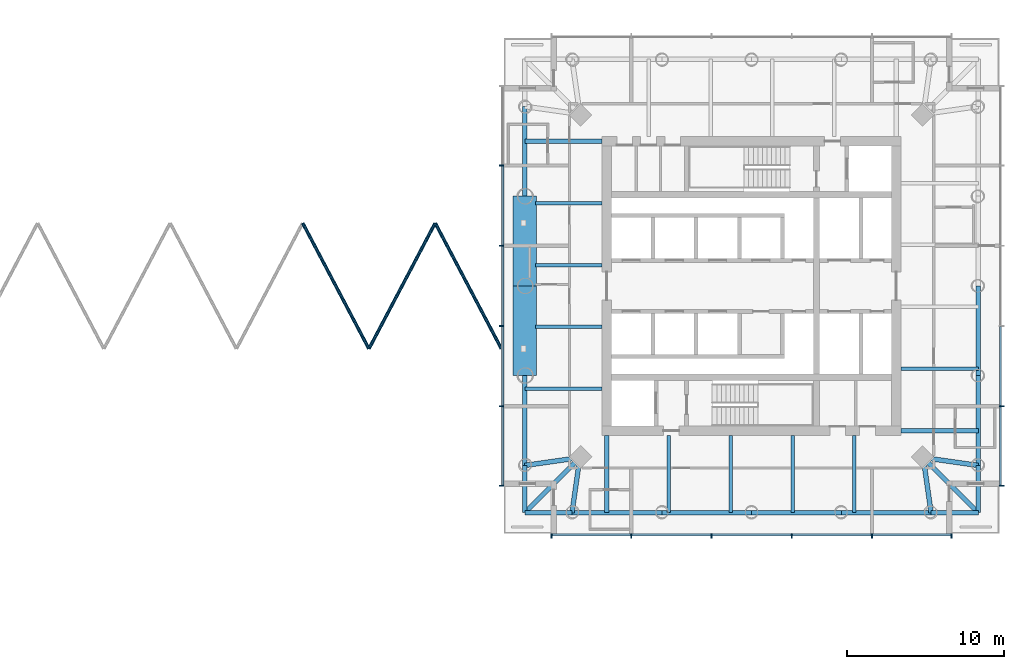
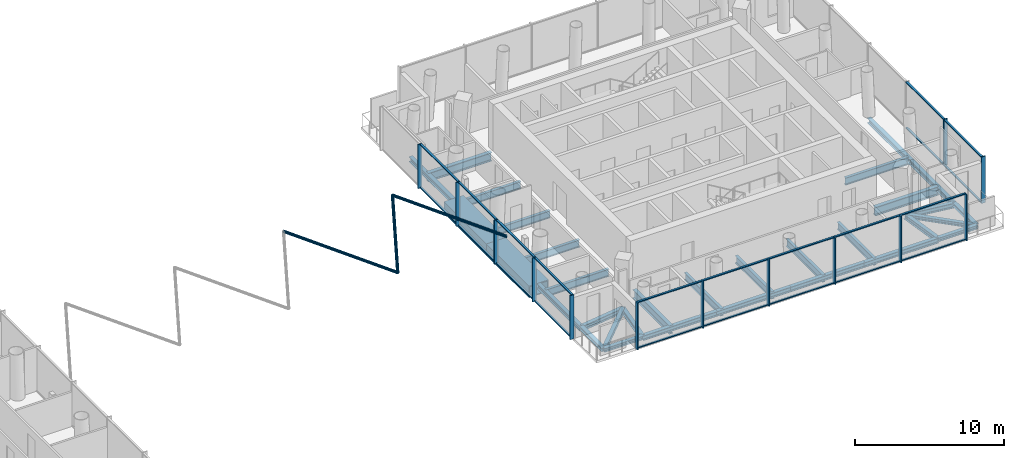
# One storey, part 5 of 19: 38 members, 32 beams, 3 elements without a shape of their own.
"""IFC4 building model written with IfcOpenShell, lengths in metres."""

from ifc_helpers import new_model, si_unit, direction, frame, origin, origin_2d, place, context, subcontext, project, spatial, rectangle, hollow_rectangle, hollow_circle, i_section, extrude, material, material_profile, profile_set, type_object, element, aggregate, save


model = new_model("IFC4")

# Units and contexts
model_context = context("Model", 3, precision=1e-05, world=origin(), true_north=direction((0.0, 1.0)))
body_context = subcontext(model_context, "Body", "Model", "MODEL_VIEW")
ifc_project = project(units=[si_unit("LENGTHUNIT", "METRE"), si_unit("AREAUNIT", "SQUARE_METRE"), si_unit("VOLUMEUNIT", "CUBIC_METRE"), si_unit("PLANEANGLEUNIT", "RADIAN"), si_unit("MASSUNIT", "GRAM", prefix="KILO")], contexts=[model_context])

# Site, building, storey
site_placement = place(None, origin())
site = spatial("IfcSite", under=ifc_project, at=site_placement, CompositionType="ELEMENT")
building_placement = place(site_placement, origin())
building = spatial("IfcBuilding", under=site, at=building_placement, Name="Ostroluk Exchange", CompositionType="ELEMENT")
storey_placement = place(building_placement, frame((0.0, 0.0, 127.39990234375)))
storey = spatial("IfcBuildingStorey", under=building, at=storey_placement, Name="L32", CompositionType="ELEMENT", Elevation=127.39990234375)

# Beams
ifc_material_1 = material(Name="Steel S355", Category="steel")
ifc_material_profile_1 = material_profile(ifc_material_1, i_section(OverallWidth=0.300048828125, OverallDepth=0.300048828125, WebThickness=0.010986328125, FlangeThickness=0.01904296875, FilletRadius=0.027099609375, at=origin_2d()), Name="HEB 300")
ifc_profile_set_1 = profile_set([ifc_material_profile_1], Name="Steel S355")
beam_type_1 = type_object("IfcBeamType", Name="Balcony beam HEB 300", PredefinedType="BEAM", material=ifc_profile_set_1)
for number, where, z_axis, x_axis, name in (
    (1, (102.586181640625, 34.586181640625, -0.349853515625), (0.0, -1.0, 0.0), (1.0, 0.0, 0.0), "T2 west balcony beam a"),
    (2, (105.586181640625, 31.586181640625, -0.349853515625), (-1.0, 0.0, 0.0), (0.0, -1.0, 0.0), "T2 west balcony beam b"),
):
    element("IfcBeam", number, at=place(storey_placement, frame(where, z_axis=z_axis, x_axis=x_axis)), inside=storey, type_object=beam_type_1, Name=name, PredefinedType="BEAM", context=body_context, shape_type="SweptSolid", body=[
        extrude(i_section(OverallWidth=0.300048828125, OverallDepth=0.300048828125, WebThickness=0.010986328125, FlangeThickness=0.01904296875, FilletRadius=0.027099609375, at=origin_2d()), origin(), (0.0, 0.0, 1.0), 3.0),
    ])
beam_1_placement = place(storey_placement, frame((106.086181640625, 35.086181640625, -0.349853515625), z_axis=(-0.707106781187, -0.707106781187, 0.0), x_axis=(0.707106781187, -0.707106781187, 0.0)))
element("IfcBeam", 3, at=beam_1_placement, inside=storey, type_object=beam_type_1, Name="T2 west balcony beam c", PredefinedType="BEAM", context=body_context, shape_type="SweptSolid", body=[
    extrude(i_section(OverallWidth=0.300048828125, OverallDepth=0.300048828125, WebThickness=0.010986328125, FlangeThickness=0.01904296875, FilletRadius=0.027099609375, at=origin_2d()), origin(), (0.0, 0.0, 1.0), 4.94970703125),
])
for number, where, z_axis, x_axis, name in (
    (4, (128.413818359375, 31.586181640625, -0.349853515625), (1.0, 0.0, 0.0), (0.0, 1.0, 0.0), "T2 south balcony beam a"),
    (5, (131.413818359375, 34.586181640625, -0.349853515625), (0.0, -1.0, 0.0), (1.0, 0.0, 0.0), "T2 south balcony beam b"),
):
    element("IfcBeam", number, at=place(storey_placement, frame(where, z_axis=z_axis, x_axis=x_axis)), inside=storey, type_object=beam_type_1, Name=name, PredefinedType="BEAM", context=body_context, shape_type="SweptSolid", body=[
        extrude(i_section(OverallWidth=0.300048828125, OverallDepth=0.300048828125, WebThickness=0.010986328125, FlangeThickness=0.01904296875, FilletRadius=0.027099609375, at=origin_2d()), origin(), (0.0, 0.0, 1.0), 3.0),
    ])
beam_2_placement = place(storey_placement, frame((127.913818359375, 35.086181640625, -0.349853515625), z_axis=(0.707106781187, -0.707106781187, 0.0), x_axis=(0.707106781187, 0.707106781187, 0.0)))
element("IfcBeam", 6, at=beam_2_placement, inside=storey, type_object=beam_type_1, Name="T2 south balcony beam c", PredefinedType="BEAM", context=body_context, shape_type="SweptSolid", body=[
    extrude(i_section(OverallWidth=0.300048828125, OverallDepth=0.300048828125, WebThickness=0.010986328125, FlangeThickness=0.01904296875, FilletRadius=0.027099609375, at=origin_2d()), origin(), (0.0, 0.0, 1.0), 4.94970703125),
])
ifc_material_2 = material(Name="Steel S355", Category="steel")
ifc_material_profile_2 = material_profile(ifc_material_2, hollow_rectangle(XDim=1.5, YDim=0.949951171875, WallThickness=0.080078125, at=origin_2d()), Name="BOX 1500x950x80")
ifc_profile_set_2 = profile_set([ifc_material_profile_2], Name="Steel S355")
beam_type_2 = type_object("IfcBeamType", Name="Bridge landing beam BOX 1500x950x80", PredefinedType="BEAM", material=ifc_profile_set_2)
for number, where, z_axis, x_axis, name in (
    (7, (102.586181640625, 40.293212890625, -0.6748046875), (0.0, 1.0, 0.0), (-1.0, 0.0, 0.0), "BR2 landing beam east 1"),
    (8, (102.586181640625, 46.0, -0.6748046875), (0.0, 1.0, 0.0), (-1.0, 0.0, 0.0), "BR2 landing beam east 2"),
):
    element("IfcBeam", number, at=place(storey_placement, frame(where, z_axis=z_axis, x_axis=x_axis)), inside=storey, type_object=beam_type_2, Name=name, PredefinedType="BEAM", context=body_context, shape_type="SweptSolid", body=[
        extrude(hollow_rectangle(XDim=1.5, YDim=0.949951171875, WallThickness=0.080078125, at=origin_2d()), origin(), (0.0, 0.0, 1.0), 5.706787109375),
    ])

# Members
ifc_material_3 = material(Name="Steel S460", Category="steel")
ifc_material_profile_3 = material_profile(ifc_material_3, hollow_circle(Radius=0.109619140625, WallThickness=0.010009765625, at=origin_2d()), Name="CHS 219.1x10")
ifc_profile_set_3 = profile_set([ifc_material_profile_3], Name="Steel S460")
member_type_1 = type_object("IfcMemberType", Name="Bridge plan bracing CHS 219.1x10", PredefinedType="BRACE", material=ifc_profile_set_3)
for number, where, z_axis, x_axis, name in (
    (9, (88.46240234375, 50.0, 3.093994140625), (0.465930052274, -0.88482155624, 0.0), (0.88482155624, 0.465930052274, 0.0), "BR2 deck plan brace 6"),
    (10, (92.675048828125, 42.0, 3.093994140625), (0.465908911283, 0.884832688358, 0.0), (-0.884832688358, 0.465908911283, 0.0), "BR2 deck plan brace 7"),
    (11, (96.887451171875, 50.0, 3.093994140625), (0.465930052274, -0.88482155624, 0.0), (0.88482155624, 0.465930052274, 0.0), "BR2 deck plan brace 8"),
):
    element("IfcMember", number, at=place(storey_placement, frame(where, z_axis=z_axis, x_axis=x_axis)), inside=storey, type_object=member_type_1, Name=name, PredefinedType="BRACE", context=body_context, shape_type="SweptSolid", body=[
        extrude(hollow_circle(Radius=0.109619140625, WallThickness=0.010009765625, at=origin_2d()), origin(), (0.0, 0.0, 1.0), 9.041259765625),
    ])

# Beams
ifc_material_4 = material(Name="Steel S355", Category="steel")
ifc_material_profile_4 = material_profile(ifc_material_4, i_section(OverallWidth=0.300048828125, OverallDepth=0.39990234375, WebThickness=0.013427734375, FlangeThickness=0.02392578125, FilletRadius=0.027099609375, at=origin_2d()), Name="HEB 400")
ifc_profile_set_4 = profile_set([ifc_material_profile_4], Name="Steel S355")
beam_type_3 = type_object("IfcBeamType", Name="Corner edge beam HEB 400", PredefinedType="SPANDREL", material=ifc_profile_set_4)
for number, where, z_axis, x_axis, name in (
    (12, (106.086181640625, 35.086181640625, -0.39990234375), (-0.989949493661, -0.141421356237, 0.0), (0.141421356237, -0.989949493661, 0.0), "T2 west corner edge beam a"),
    (13, (106.086181640625, 35.086181640625, -0.39990234375), (-0.141421356237, -0.989949493661, 0.0), (0.989949493661, -0.141421356237, 0.0), "T2 west corner edge beam b"),
    (14, (127.913818359375, 35.086181640625, -0.39990234375), (0.141421356237, -0.989949493661, 0.0), (0.989949493661, 0.141421356237, 0.0), "T2 south corner edge beam a"),
    (15, (127.913818359375, 35.086181640625, -0.39990234375), (0.989949493661, -0.141421356237, 0.0), (0.141421356237, 0.989949493661, 0.0), "T2 south corner edge beam b"),
):
    element("IfcBeam", number, at=place(storey_placement, frame(where, z_axis=z_axis, x_axis=x_axis)), inside=storey, type_object=beam_type_3, Name=name, PredefinedType="SPANDREL", context=body_context, shape_type="SweptSolid", body=[
        extrude(i_section(OverallWidth=0.300048828125, OverallDepth=0.39990234375, WebThickness=0.013427734375, FlangeThickness=0.02392578125, FilletRadius=0.027099609375, at=origin_2d()), origin(), (0.0, 0.0, 1.0), 3.53564453125),
    ])
ifc_material_5 = material(Name="Steel S355", Category="steel")
ifc_material_profile_5 = material_profile(ifc_material_5, i_section(OverallWidth=0.219970703125, OverallDepth=0.60009765625, WebThickness=0.011962890625, FlangeThickness=0.01904296875, FilletRadius=0.02392578125, at=origin_2d()), Name="IPE 600")
ifc_profile_set_5 = profile_set([ifc_material_profile_5], Name="Steel S355")
beam_type_4 = type_object("IfcBeamType", Name="Floor beam IPE 600", PredefinedType="BEAM", material=ifc_profile_set_5)
beam_3_placement = place(storey_placement, frame((126.5, 40.735595703125, -0.5), z_axis=(1.0, 0.0, 0.0), x_axis=(0.0, 1.0, 0.0)))
element("IfcBeam", 16, at=beam_3_placement, inside=storey, type_object=beam_type_4, Name="T2 east floor beam 1", PredefinedType="BEAM", context=body_context, shape_type="SweptSolid", body=[
    extrude(i_section(OverallWidth=0.219970703125, OverallDepth=0.60009765625, WebThickness=0.011962890625, FlangeThickness=0.01904296875, FilletRadius=0.02392578125, at=origin_2d()), origin(), (0.0, 0.0, 1.0), 4.913818359375),
])
for number, where, z_axis, x_axis, name in (
    (17, (107.5, 51.264404296875, -0.5), (-1.0, 0.0, 0.0), (0.0, -1.0, 0.0), "T2 west floor beam 1"),
    (18, (107.5, 47.328857421875, -0.5), (-1.0, 0.0, 0.0), (0.0, -1.0, 0.0), "T2 west floor beam 2"),
    (19, (107.5, 43.39306640625, -0.5), (-1.0, 0.0, 0.0), (0.0, -1.0, 0.0), "T2 west floor beam 3"),
):
    element("IfcBeam", number, at=place(storey_placement, frame(where, z_axis=z_axis, x_axis=x_axis)), inside=storey, type_object=beam_type_4, Name=name, PredefinedType="BEAM", context=body_context, shape_type="SweptSolid", body=[
        extrude(i_section(OverallWidth=0.219970703125, OverallDepth=0.60009765625, WebThickness=0.011962890625, FlangeThickness=0.01904296875, FilletRadius=0.02392578125, at=origin_2d()), origin(), (0.0, 0.0, 1.0), 4.243896484375),
    ])
for number, where, z_axis, x_axis, name in (
    (20, (107.5, 39.45751953125, -0.5), (-1.0, 0.0, 0.0), (0.0, -1.0, 0.0), "T2 west floor beam 4"),
    (21, (111.735595703125, 36.5, -0.5), (0.0, -1.0, 0.0), (1.0, 0.0, 0.0), "T2 south floor beam 1"),
    (22, (115.671142578125, 36.5, -0.5), (0.0, -1.0, 0.0), (1.0, 0.0, 0.0), "T2 south floor beam 2"),
    (23, (119.60693359375, 36.5, -0.5), (0.0, -1.0, 0.0), (1.0, 0.0, 0.0), "T2 south floor beam 3"),
    (24, (123.54248046875, 36.5, -0.5), (0.0, -1.0, 0.0), (1.0, 0.0, 0.0), "T2 south floor beam 4"),
):
    element("IfcBeam", number, at=place(storey_placement, frame(where, z_axis=z_axis, x_axis=x_axis)), inside=storey, type_object=beam_type_4, Name=name, PredefinedType="BEAM", context=body_context, shape_type="SweptSolid", body=[
        extrude(i_section(OverallWidth=0.219970703125, OverallDepth=0.60009765625, WebThickness=0.011962890625, FlangeThickness=0.01904296875, FilletRadius=0.02392578125, at=origin_2d()), origin(), (0.0, 0.0, 1.0), 4.913818359375),
    ])
ifc_material_6 = material(Name="Steel S355", Category="steel")
ifc_material_profile_6 = material_profile(ifc_material_6, i_section(OverallWidth=0.300048828125, OverallDepth=0.699951171875, WebThickness=0.01708984375, FlangeThickness=0.031982421875, FilletRadius=0.027099609375, at=origin_2d()), Name="HEB 700")
ifc_profile_set_6 = profile_set([ifc_material_profile_6], Name="Steel S355")
beam_type_5 = type_object("IfcBeamType", Name="Girder HEB 700", PredefinedType="BEAM", material=ifc_profile_set_6)
for number, where, z_axis, x_axis, name in (
    (25, (107.5, 55.199951171875, -0.5498046875), (-1.0, 0.0, 0.0), (0.0, -1.0, 0.0), "T2 north girder"),
    (26, (107.800048828125, 36.5, -0.5498046875), (0.0, -1.0, 0.0), (1.0, 0.0, 0.0), "T2 west girder"),
    (27, (126.5, 36.800048828125, -0.5498046875), (1.0, 0.0, 0.0), (0.0, 1.0, 0.0), "T2 south girder"),
):
    element("IfcBeam", number, at=place(storey_placement, frame(where, z_axis=z_axis, x_axis=x_axis)), inside=storey, type_object=beam_type_5, Name=name, PredefinedType="BEAM", context=body_context, shape_type="SweptSolid", body=[
        extrude(i_section(OverallWidth=0.300048828125, OverallDepth=0.699951171875, WebThickness=0.01708984375, FlangeThickness=0.031982421875, FilletRadius=0.027099609375, at=origin_2d()), origin(), (0.0, 0.0, 1.0), 4.913818359375),
    ])
ifc_material_7 = material(Name="Steel S355", Category="steel")
ifc_material_profile_7 = material_profile(ifc_material_7, i_section(OverallWidth=0.300048828125, OverallDepth=0.39990234375, WebThickness=0.013427734375, FlangeThickness=0.02392578125, FilletRadius=0.027099609375, at=origin_2d()), Name="HEB 400")
ifc_profile_set_7 = profile_set([ifc_material_profile_7], Name="Steel S355")
beam_type_6 = type_object("IfcBeamType", Name="Moment-connected edge beam HEB 400", PredefinedType="SPANDREL", material=ifc_profile_set_7)
beam_4_placement = place(storey_placement, frame((131.413818359375, 34.586181640625, -0.39990234375), z_axis=(0.0, 1.0, 0.0), x_axis=(-1.0, 0.0, 0.0)))
element("IfcBeam", 28, at=beam_4_placement, inside=storey, type_object=beam_type_6, Name="T2 east edge beam 1", PredefinedType="SPANDREL", context=body_context, shape_type="SweptSolid", body=[
    extrude(i_section(OverallWidth=0.300048828125, OverallDepth=0.39990234375, WebThickness=0.013427734375, FlangeThickness=0.02392578125, FilletRadius=0.027099609375, at=origin_2d()), origin(), (0.0, 0.0, 1.0), 5.70703125),
])
beam_5_placement = place(storey_placement, frame((131.413818359375, 40.293212890625, -0.39990234375), z_axis=(0.0, 1.0, 0.0), x_axis=(-1.0, 0.0, 0.0)))
element("IfcBeam", 29, at=beam_5_placement, inside=storey, type_object=beam_type_6, Name="T2 east edge beam 2", PredefinedType="SPANDREL", context=body_context, shape_type="SweptSolid", body=[
    extrude(i_section(OverallWidth=0.300048828125, OverallDepth=0.39990234375, WebThickness=0.013427734375, FlangeThickness=0.02392578125, FilletRadius=0.027099609375, at=origin_2d()), origin(), (0.0, 0.0, 1.0), 5.706787109375),
])
for number, where, z_axis, x_axis, name in (
    (30, (102.586181640625, 57.413818359375, -0.39990234375), (0.0, -1.0, 0.0), (1.0, 0.0, 0.0), "T2 west edge beam 1"),
    (31, (102.586181640625, 40.293212890625, -0.39990234375), (0.0, -1.0, 0.0), (1.0, 0.0, 0.0), "T2 west edge beam 4"),
    (32, (105.586181640625, 31.586181640625, -0.39990234375), (1.0, 0.0, 0.0), (0.0, 1.0, 0.0), "T2 south edge beam 1"),
):
    element("IfcBeam", number, at=place(storey_placement, frame(where, z_axis=z_axis, x_axis=x_axis)), inside=storey, type_object=beam_type_6, Name=name, PredefinedType="SPANDREL", context=body_context, shape_type="SweptSolid", body=[
        extrude(i_section(OverallWidth=0.300048828125, OverallDepth=0.39990234375, WebThickness=0.013427734375, FlangeThickness=0.02392578125, FilletRadius=0.027099609375, at=origin_2d()), origin(), (0.0, 0.0, 1.0), 5.70703125),
    ])
for number, where, z_axis, x_axis, name in (
    (33, (111.293212890625, 31.586181640625, -0.39990234375), (1.0, 0.0, 0.0), (0.0, 1.0, 0.0), "T2 south edge beam 2"),
    (34, (117.0, 31.586181640625, -0.39990234375), (1.0, 0.0, 0.0), (0.0, 1.0, 0.0), "T2 south edge beam 3"),
):
    element("IfcBeam", number, at=place(storey_placement, frame(where, z_axis=z_axis, x_axis=x_axis)), inside=storey, type_object=beam_type_6, Name=name, PredefinedType="SPANDREL", context=body_context, shape_type="SweptSolid", body=[
        extrude(i_section(OverallWidth=0.300048828125, OverallDepth=0.39990234375, WebThickness=0.013427734375, FlangeThickness=0.02392578125, FilletRadius=0.027099609375, at=origin_2d()), origin(), (0.0, 0.0, 1.0), 5.706787109375),
    ])
beam_6_placement = place(storey_placement, frame((122.706787109375, 31.586181640625, -0.39990234375), z_axis=(1.0, 0.0, 0.0), x_axis=(0.0, 1.0, 0.0)))
element("IfcBeam", 35, at=beam_6_placement, inside=storey, type_object=beam_type_6, Name="T2 south edge beam 4", PredefinedType="SPANDREL", context=body_context, shape_type="SweptSolid", body=[
    extrude(i_section(OverallWidth=0.300048828125, OverallDepth=0.39990234375, WebThickness=0.013427734375, FlangeThickness=0.02392578125, FilletRadius=0.027099609375, at=origin_2d()), origin(), (0.0, 0.0, 1.0), 5.70703125),
])

# Curtain wall, members
ifc_material_8 = material(Name="Laminated clear glass", Category="glass")
curtain_wall_type = type_object("IfcCurtainWallType", Name="Hotel guest floor facade", PredefinedType="USERDEFINED", material=ifc_material_8)
curtain_wall_1_placement = place(storey_placement, origin())
curtain_wall_1 = element("IfcCurtainWall", 36, at=curtain_wall_1_placement, inside=storey, type_object=curtain_wall_type, Name="Hotel tower south facade L32", ObjectType="UNITISED CURTAIN WALL", PredefinedType="USERDEFINED")
ifc_material_9 = material(Name="Aluminium mullion", Category="aluminium")
ifc_material_profile_8 = material_profile(ifc_material_9, rectangle(XDim=0.14990234375, YDim=0.080078125, at=origin_2d()), Name="Sill transom 80 x 150")
ifc_profile_set_8 = profile_set([ifc_material_profile_8], Name="Aluminium mullion")
member_type_2 = type_object("IfcMemberType", Name="Sill transom 80 x 150", PredefinedType="USERDEFINED", material=ifc_profile_set_8)
member_1_placement = place(storey_placement, frame((104.330078125, 30.175048828125, 0.0400390625), z_axis=(1.0, 0.0, 0.0), x_axis=(0.0, 1.0, 0.0)))
member_1 = element("IfcMember", 37, at=member_1_placement, type_object=member_type_2, Name="CW-H1 transom 1.1", ObjectType="TRANSOM", PredefinedType="USERDEFINED", context=body_context, shape_type="SweptSolid", body=[
    extrude(rectangle(XDim=0.14990234375, YDim=0.080078125, at=origin_2d()), origin(), (0.0, 0.0, 1.0), 4.97998046875),
])
member_2_placement = place(storey_placement, frame((104.330078125, 30.175048828125, 3.760009765625), z_axis=(1.0, 0.0, 0.0), x_axis=(0.0, 1.0, 0.0)))
member_2 = element("IfcMember", 38, at=member_2_placement, type_object=member_type_2, Name="CW-H1 transom 1.2", ObjectType="TRANSOM", PredefinedType="USERDEFINED", context=body_context, shape_type="SweptSolid", body=[
    extrude(rectangle(XDim=0.14990234375, YDim=0.080078125, at=origin_2d()), origin(), (0.0, 0.0, 1.0), 4.97998046875),
])
member_3_placement = place(storey_placement, frame((109.389892578125, 30.175048828125, 0.0400390625), z_axis=(1.0, 0.0, 0.0), x_axis=(0.0, 1.0, 0.0)))
member_3 = element("IfcMember", 39, at=member_3_placement, type_object=member_type_2, Name="CW-H1 transom 2.1", ObjectType="TRANSOM", PredefinedType="USERDEFINED", context=body_context, shape_type="SweptSolid", body=[
    extrude(rectangle(XDim=0.14990234375, YDim=0.080078125, at=origin_2d()), origin(), (0.0, 0.0, 1.0), 5.02001953125),
])
member_4_placement = place(storey_placement, frame((109.389892578125, 30.175048828125, 3.760009765625), z_axis=(1.0, 0.0, 0.0), x_axis=(0.0, 1.0, 0.0)))
member_4 = element("IfcMember", 40, at=member_4_placement, type_object=member_type_2, Name="CW-H1 transom 2.2", ObjectType="TRANSOM", PredefinedType="USERDEFINED", context=body_context, shape_type="SweptSolid", body=[
    extrude(rectangle(XDim=0.14990234375, YDim=0.080078125, at=origin_2d()), origin(), (0.0, 0.0, 1.0), 5.02001953125),
])
member_5_placement = place(storey_placement, frame((114.489990234375, 30.175048828125, 0.0400390625), z_axis=(1.0, 0.0, 0.0), x_axis=(0.0, 1.0, 0.0)))
member_5 = element("IfcMember", 41, at=member_5_placement, type_object=member_type_2, Name="CW-H1 transom 3.1", ObjectType="TRANSOM", PredefinedType="USERDEFINED", context=body_context, shape_type="SweptSolid", body=[
    extrude(rectangle(XDim=0.14990234375, YDim=0.080078125, at=origin_2d()), origin(), (0.0, 0.0, 1.0), 5.02001953125),
])
member_6_placement = place(storey_placement, frame((114.489990234375, 30.175048828125, 3.760009765625), z_axis=(1.0, 0.0, 0.0), x_axis=(0.0, 1.0, 0.0)))
member_6 = element("IfcMember", 42, at=member_6_placement, type_object=member_type_2, Name="CW-H1 transom 3.2", ObjectType="TRANSOM", PredefinedType="USERDEFINED", context=body_context, shape_type="SweptSolid", body=[
    extrude(rectangle(XDim=0.14990234375, YDim=0.080078125, at=origin_2d()), origin(), (0.0, 0.0, 1.0), 5.02001953125),
])
member_7_placement = place(storey_placement, frame((119.590087890625, 30.175048828125, 0.0400390625), z_axis=(1.0, 0.0, 0.0), x_axis=(0.0, 1.0, 0.0)))
member_7 = element("IfcMember", 43, at=member_7_placement, type_object=member_type_2, Name="CW-H1 transom 4.1", ObjectType="TRANSOM", PredefinedType="USERDEFINED", context=body_context, shape_type="SweptSolid", body=[
    extrude(rectangle(XDim=0.14990234375, YDim=0.080078125, at=origin_2d()), origin(), (0.0, 0.0, 1.0), 5.02001953125),
])
member_8_placement = place(storey_placement, frame((119.590087890625, 30.175048828125, 3.760009765625), z_axis=(1.0, 0.0, 0.0), x_axis=(0.0, 1.0, 0.0)))
member_8 = element("IfcMember", 44, at=member_8_placement, type_object=member_type_2, Name="CW-H1 transom 4.2", ObjectType="TRANSOM", PredefinedType="USERDEFINED", context=body_context, shape_type="SweptSolid", body=[
    extrude(rectangle(XDim=0.14990234375, YDim=0.080078125, at=origin_2d()), origin(), (0.0, 0.0, 1.0), 5.02001953125),
])
member_9_placement = place(storey_placement, frame((124.68994140625, 30.175048828125, 0.0400390625), z_axis=(1.0, 0.0, 0.0), x_axis=(0.0, 1.0, 0.0)))
member_9 = element("IfcMember", 45, at=member_9_placement, type_object=member_type_2, Name="CW-H1 transom 5.1", ObjectType="TRANSOM", PredefinedType="USERDEFINED", context=body_context, shape_type="SweptSolid", body=[
    extrude(rectangle(XDim=0.14990234375, YDim=0.080078125, at=origin_2d()), origin(), (0.0, 0.0, 1.0), 4.97998046875),
])
member_10_placement = place(storey_placement, frame((124.68994140625, 30.175048828125, 3.760009765625), z_axis=(1.0, 0.0, 0.0), x_axis=(0.0, 1.0, 0.0)))
member_10 = element("IfcMember", 46, at=member_10_placement, type_object=member_type_2, Name="CW-H1 transom 5.2", ObjectType="TRANSOM", PredefinedType="USERDEFINED", context=body_context, shape_type="SweptSolid", body=[
    extrude(rectangle(XDim=0.14990234375, YDim=0.080078125, at=origin_2d()), origin(), (0.0, 0.0, 1.0), 4.97998046875),
])

curtain_wall_2_placement = place(storey_placement, origin())
curtain_wall_2 = element("IfcCurtainWall", 47, at=curtain_wall_2_placement, inside=storey, type_object=curtain_wall_type, Name="Hotel tower east facade L32", ObjectType="UNITISED CURTAIN WALL", PredefinedType="USERDEFINED")
member_11_placement = place(storey_placement, frame((132.824951171875, 33.330078125, 0.0400390625), z_axis=(0.0, 1.0, 0.0), x_axis=(-1.0, 0.0, 0.0)))
member_11 = element("IfcMember", 48, at=member_11_placement, type_object=member_type_2, Name="CW-H1 transom 1.1", ObjectType="TRANSOM", PredefinedType="USERDEFINED", context=body_context, shape_type="SweptSolid", body=[
    extrude(rectangle(XDim=0.14990234375, YDim=0.080078125, at=origin_2d()), origin(), (0.0, 0.0, 1.0), 4.97998046875),
])
member_12_placement = place(storey_placement, frame((132.824951171875, 33.330078125, 3.760009765625), z_axis=(0.0, 1.0, 0.0), x_axis=(-1.0, 0.0, 0.0)))
member_12 = element("IfcMember", 49, at=member_12_placement, type_object=member_type_2, Name="CW-H1 transom 1.2", ObjectType="TRANSOM", PredefinedType="USERDEFINED", context=body_context, shape_type="SweptSolid", body=[
    extrude(rectangle(XDim=0.14990234375, YDim=0.080078125, at=origin_2d()), origin(), (0.0, 0.0, 1.0), 4.97998046875),
])
member_13_placement = place(storey_placement, frame((132.824951171875, 38.389892578125, 0.0400390625), z_axis=(0.0, 1.0, 0.0), x_axis=(-1.0, 0.0, 0.0)))
member_13 = element("IfcMember", 50, at=member_13_placement, type_object=member_type_2, Name="CW-H1 transom 2.1", ObjectType="TRANSOM", PredefinedType="USERDEFINED", context=body_context, shape_type="SweptSolid", body=[
    extrude(rectangle(XDim=0.14990234375, YDim=0.080078125, at=origin_2d()), origin(), (0.0, 0.0, 1.0), 5.02001953125),
])
member_14_placement = place(storey_placement, frame((132.824951171875, 38.389892578125, 3.760009765625), z_axis=(0.0, 1.0, 0.0), x_axis=(-1.0, 0.0, 0.0)))
member_14 = element("IfcMember", 51, at=member_14_placement, type_object=member_type_2, Name="CW-H1 transom 2.2", ObjectType="TRANSOM", PredefinedType="USERDEFINED", context=body_context, shape_type="SweptSolid", body=[
    extrude(rectangle(XDim=0.14990234375, YDim=0.080078125, at=origin_2d()), origin(), (0.0, 0.0, 1.0), 5.02001953125),
])

curtain_wall_3_placement = place(storey_placement, origin())
curtain_wall_3 = element("IfcCurtainWall", 52, at=curtain_wall_3_placement, inside=storey, type_object=curtain_wall_type, Name="Hotel tower west facade L32", ObjectType="UNITISED CURTAIN WALL", PredefinedType="USERDEFINED")
member_15_placement = place(storey_placement, frame((101.175048828125, 53.610107421875, 0.0400390625), z_axis=(0.0, -1.0, 0.0), x_axis=(1.0, 0.0, 0.0)))
member_15 = element("IfcMember", 53, at=member_15_placement, type_object=member_type_2, Name="CW-H1 transom 2.1", ObjectType="TRANSOM", PredefinedType="USERDEFINED", context=body_context, shape_type="SweptSolid", body=[
    extrude(rectangle(XDim=0.14990234375, YDim=0.080078125, at=origin_2d()), origin(), (0.0, 0.0, 1.0), 5.02001953125),
])
member_16_placement = place(storey_placement, frame((101.175048828125, 53.610107421875, 3.56005859375), z_axis=(0.0, -1.0, 0.0), x_axis=(1.0, 0.0, 0.0)))
member_16 = element("IfcMember", 54, at=member_16_placement, type_object=member_type_2, Name="CW-H1 transom 2.2", ObjectType="TRANSOM", PredefinedType="USERDEFINED", context=body_context, shape_type="SweptSolid", body=[
    extrude(rectangle(XDim=0.14990234375, YDim=0.080078125, at=origin_2d()), origin(), (0.0, 0.0, 1.0), 5.02001953125),
])
member_17_placement = place(storey_placement, frame((101.175048828125, 48.510009765625, 0.0400390625), z_axis=(0.0, -1.0, 0.0), x_axis=(1.0, 0.0, 0.0)))
member_17 = element("IfcMember", 55, at=member_17_placement, type_object=member_type_2, Name="CW-H1 transom 3.1", ObjectType="TRANSOM", PredefinedType="USERDEFINED", context=body_context, shape_type="SweptSolid", body=[
    extrude(rectangle(XDim=0.14990234375, YDim=0.080078125, at=origin_2d()), origin(), (0.0, 0.0, 1.0), 5.02001953125),
])
member_18_placement = place(storey_placement, frame((101.175048828125, 48.510009765625, 3.56005859375), z_axis=(0.0, -1.0, 0.0), x_axis=(1.0, 0.0, 0.0)))
member_18 = element("IfcMember", 56, at=member_18_placement, type_object=member_type_2, Name="CW-H1 transom 3.2", ObjectType="TRANSOM", PredefinedType="USERDEFINED", context=body_context, shape_type="SweptSolid", body=[
    extrude(rectangle(XDim=0.14990234375, YDim=0.080078125, at=origin_2d()), origin(), (0.0, 0.0, 1.0), 5.02001953125),
])
member_19_placement = place(storey_placement, frame((101.175048828125, 43.409912109375, 0.0400390625), z_axis=(0.0, -1.0, 0.0), x_axis=(1.0, 0.0, 0.0)))
member_19 = element("IfcMember", 57, at=member_19_placement, type_object=member_type_2, Name="CW-H1 transom 4.1", ObjectType="TRANSOM", PredefinedType="USERDEFINED", context=body_context, shape_type="SweptSolid", body=[
    extrude(rectangle(XDim=0.14990234375, YDim=0.080078125, at=origin_2d()), origin(), (0.0, 0.0, 1.0), 5.02001953125),
])
member_20_placement = place(storey_placement, frame((101.175048828125, 43.409912109375, 3.56005859375), z_axis=(0.0, -1.0, 0.0), x_axis=(1.0, 0.0, 0.0)))
member_20 = element("IfcMember", 58, at=member_20_placement, type_object=member_type_2, Name="CW-H1 transom 4.2", ObjectType="TRANSOM", PredefinedType="USERDEFINED", context=body_context, shape_type="SweptSolid", body=[
    extrude(rectangle(XDim=0.14990234375, YDim=0.080078125, at=origin_2d()), origin(), (0.0, 0.0, 1.0), 5.02001953125),
])
member_21_placement = place(storey_placement, frame((101.175048828125, 38.31005859375, 0.0400390625), z_axis=(0.0, -1.0, 0.0), x_axis=(1.0, 0.0, 0.0)))
member_21 = element("IfcMember", 59, at=member_21_placement, type_object=member_type_2, Name="CW-H1 transom 5.1", ObjectType="TRANSOM", PredefinedType="USERDEFINED", context=body_context, shape_type="SweptSolid", body=[
    extrude(rectangle(XDim=0.14990234375, YDim=0.080078125, at=origin_2d()), origin(), (0.0, 0.0, 1.0), 4.97998046875),
])
member_22_placement = place(storey_placement, frame((101.175048828125, 38.31005859375, 3.56005859375), z_axis=(0.0, -1.0, 0.0), x_axis=(1.0, 0.0, 0.0)))
member_22 = element("IfcMember", 60, at=member_22_placement, type_object=member_type_2, Name="CW-H1 transom 5.2", ObjectType="TRANSOM", PredefinedType="USERDEFINED", context=body_context, shape_type="SweptSolid", body=[
    extrude(rectangle(XDim=0.14990234375, YDim=0.080078125, at=origin_2d()), origin(), (0.0, 0.0, 1.0), 4.97998046875),
])

# Member
ifc_material_10 = material(Name="Aluminium mullion with limestone facing", Category="masonry")
ifc_material_profile_9 = material_profile(ifc_material_10, rectangle(XDim=0.300048828125, YDim=0.080078125, at=origin_2d()), Name="Tracery mullion 80 x 300")
ifc_profile_set_9 = profile_set([ifc_material_profile_9], Name="Aluminium mullion with limestone facing")
member_type_3 = type_object("IfcMemberType", Name="Tracery mullion 80 x 300", PredefinedType="MULLION", material=ifc_profile_set_9)
member_23_placement = place(storey_placement, frame((104.2900390625, 30.10009765625, 0.0), z_axis=(0.0, 0.0, 1.0), x_axis=(0.0, 1.0, 0.0)))
member_23 = element("IfcMember", 61, at=member_23_placement, type_object=member_type_3, Name="CW-H1 mullion 1", PredefinedType="MULLION", context=body_context, shape_type="SweptSolid", body=[
    extrude(rectangle(XDim=0.300048828125, YDim=0.080078125, at=origin_2d()), origin(), (0.0, 0.0, 1.0), 3.800048828125),
])

member_24_placement = place(storey_placement, frame((109.35009765625, 30.10009765625, 0.0), z_axis=(0.0, 0.0, 1.0), x_axis=(0.0, 1.0, 0.0)))
member_24 = element("IfcMember", 62, at=member_24_placement, type_object=member_type_3, Name="CW-H1 mullion 2", PredefinedType="MULLION", context=body_context, shape_type="SweptSolid", body=[
    extrude(rectangle(XDim=0.300048828125, YDim=0.080078125, at=origin_2d()), origin(), (0.0, 0.0, 1.0), 3.800048828125),
])

member_25_placement = place(storey_placement, frame((114.449951171875, 30.10009765625, 0.0), z_axis=(0.0, 0.0, 1.0), x_axis=(0.0, 1.0, 0.0)))
member_25 = element("IfcMember", 63, at=member_25_placement, type_object=member_type_3, Name="CW-H1 mullion 3", PredefinedType="MULLION", context=body_context, shape_type="SweptSolid", body=[
    extrude(rectangle(XDim=0.300048828125, YDim=0.080078125, at=origin_2d()), origin(), (0.0, 0.0, 1.0), 3.800048828125),
])

member_26_placement = place(storey_placement, frame((119.550048828125, 30.10009765625, 0.0), z_axis=(0.0, 0.0, 1.0), x_axis=(0.0, 1.0, 0.0)))
member_26 = element("IfcMember", 64, at=member_26_placement, type_object=member_type_3, Name="CW-H1 mullion 4", PredefinedType="MULLION", context=body_context, shape_type="SweptSolid", body=[
    extrude(rectangle(XDim=0.300048828125, YDim=0.080078125, at=origin_2d()), origin(), (0.0, 0.0, 1.0), 3.800048828125),
])

member_27_placement = place(storey_placement, frame((124.64990234375, 30.10009765625, 0.0), z_axis=(0.0, 0.0, 1.0), x_axis=(0.0, 1.0, 0.0)))
member_27 = element("IfcMember", 65, at=member_27_placement, type_object=member_type_3, Name="CW-H1 mullion 5", PredefinedType="MULLION", context=body_context, shape_type="SweptSolid", body=[
    extrude(rectangle(XDim=0.300048828125, YDim=0.080078125, at=origin_2d()), origin(), (0.0, 0.0, 1.0), 3.800048828125),
])

member_28_placement = place(storey_placement, frame((129.7099609375, 30.10009765625, 0.0), z_axis=(0.0, 0.0, 1.0), x_axis=(0.0, 1.0, 0.0)))
member_28 = element("IfcMember", 66, at=member_28_placement, type_object=member_type_3, Name="CW-H1 mullion 6", PredefinedType="MULLION", context=body_context, shape_type="SweptSolid", body=[
    extrude(rectangle(XDim=0.300048828125, YDim=0.080078125, at=origin_2d()), origin(), (0.0, 0.0, 1.0), 3.800048828125),
])

aggregate(curtain_wall_1, [member_23, member_24, member_25, member_26, member_27, member_28, member_1, member_2, member_3, member_4, member_5, member_6, member_7, member_8, member_9, member_10])

member_29_placement = place(storey_placement, frame((132.89990234375, 33.2900390625, 0.0), z_axis=(0.0, 0.0, 1.0), x_axis=(-1.0, 0.0, 0.0)))
member_29 = element("IfcMember", 67, at=member_29_placement, type_object=member_type_3, Name="CW-H1 mullion 1", PredefinedType="MULLION", context=body_context, shape_type="SweptSolid", body=[
    extrude(rectangle(XDim=0.300048828125, YDim=0.080078125, at=origin_2d()), origin(), (0.0, 0.0, 1.0), 3.800048828125),
])

member_30_placement = place(storey_placement, frame((132.89990234375, 38.35009765625, 0.0), z_axis=(0.0, 0.0, 1.0), x_axis=(-1.0, 0.0, 0.0)))
member_30 = element("IfcMember", 68, at=member_30_placement, type_object=member_type_3, Name="CW-H1 mullion 2", PredefinedType="MULLION", context=body_context, shape_type="SweptSolid", body=[
    extrude(rectangle(XDim=0.300048828125, YDim=0.080078125, at=origin_2d()), origin(), (0.0, 0.0, 1.0), 3.800048828125),
])

aggregate(curtain_wall_2, [member_29, member_30, member_11, member_12, member_13, member_14])

member_31_placement = place(storey_placement, frame((101.10009765625, 53.64990234375, 0.0), z_axis=(0.0, 0.0, 1.0), x_axis=(1.0, 0.0, 0.0)))
member_31 = element("IfcMember", 69, at=member_31_placement, type_object=member_type_3, Name="CW-H1 mullion 2", PredefinedType="MULLION", context=body_context, shape_type="SweptSolid", body=[
    extrude(rectangle(XDim=0.300048828125, YDim=0.080078125, at=origin_2d()), origin(), (0.0, 0.0, 1.0), 3.60009765625),
])

member_32_placement = place(storey_placement, frame((101.10009765625, 48.550048828125, 0.0), z_axis=(0.0, 0.0, 1.0), x_axis=(1.0, 0.0, 0.0)))
member_32 = element("IfcMember", 70, at=member_32_placement, type_object=member_type_3, Name="CW-H1 mullion 3", PredefinedType="MULLION", context=body_context, shape_type="SweptSolid", body=[
    extrude(rectangle(XDim=0.300048828125, YDim=0.080078125, at=origin_2d()), origin(), (0.0, 0.0, 1.0), 3.60009765625),
])

member_33_placement = place(storey_placement, frame((101.10009765625, 43.449951171875, 0.0), z_axis=(0.0, 0.0, 1.0), x_axis=(1.0, 0.0, 0.0)))
member_33 = element("IfcMember", 71, at=member_33_placement, type_object=member_type_3, Name="CW-H1 mullion 4", PredefinedType="MULLION", context=body_context, shape_type="SweptSolid", body=[
    extrude(rectangle(XDim=0.300048828125, YDim=0.080078125, at=origin_2d()), origin(), (0.0, 0.0, 1.0), 3.60009765625),
])

member_34_placement = place(storey_placement, frame((101.10009765625, 38.35009765625, 0.0), z_axis=(0.0, 0.0, 1.0), x_axis=(1.0, 0.0, 0.0)))
member_34 = element("IfcMember", 72, at=member_34_placement, type_object=member_type_3, Name="CW-H1 mullion 5", PredefinedType="MULLION", context=body_context, shape_type="SweptSolid", body=[
    extrude(rectangle(XDim=0.300048828125, YDim=0.080078125, at=origin_2d()), origin(), (0.0, 0.0, 1.0), 3.60009765625),
])

member_35_placement = place(storey_placement, frame((101.10009765625, 33.2900390625, 0.0), z_axis=(0.0, 0.0, 1.0), x_axis=(1.0, 0.0, 0.0)))
member_35 = element("IfcMember", 73, at=member_35_placement, type_object=member_type_3, Name="CW-H1 mullion 6", PredefinedType="MULLION", context=body_context, shape_type="SweptSolid", body=[
    extrude(rectangle(XDim=0.300048828125, YDim=0.080078125, at=origin_2d()), origin(), (0.0, 0.0, 1.0), 3.60009765625),
])

aggregate(curtain_wall_3, [member_31, member_32, member_33, member_34, member_35, member_15, member_16, member_17, member_18, member_19, member_20, member_21, member_22])

save(model, "model.ifc")
